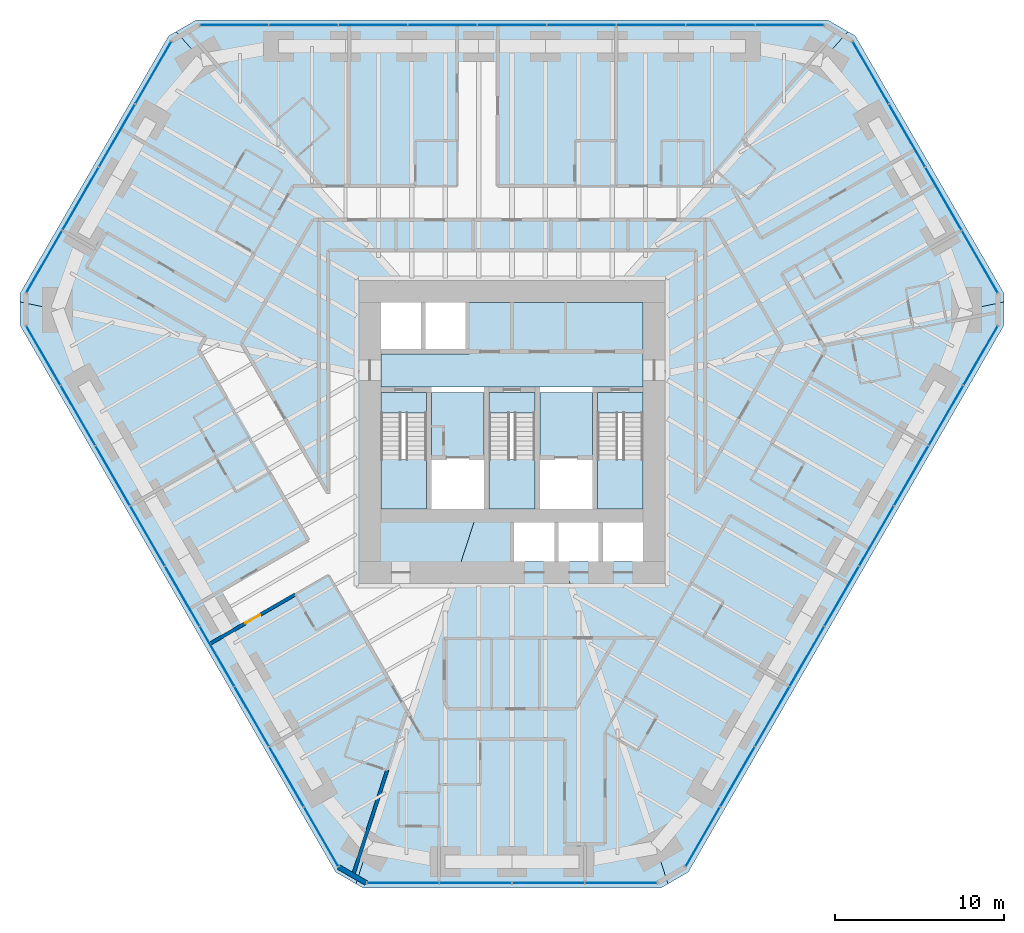
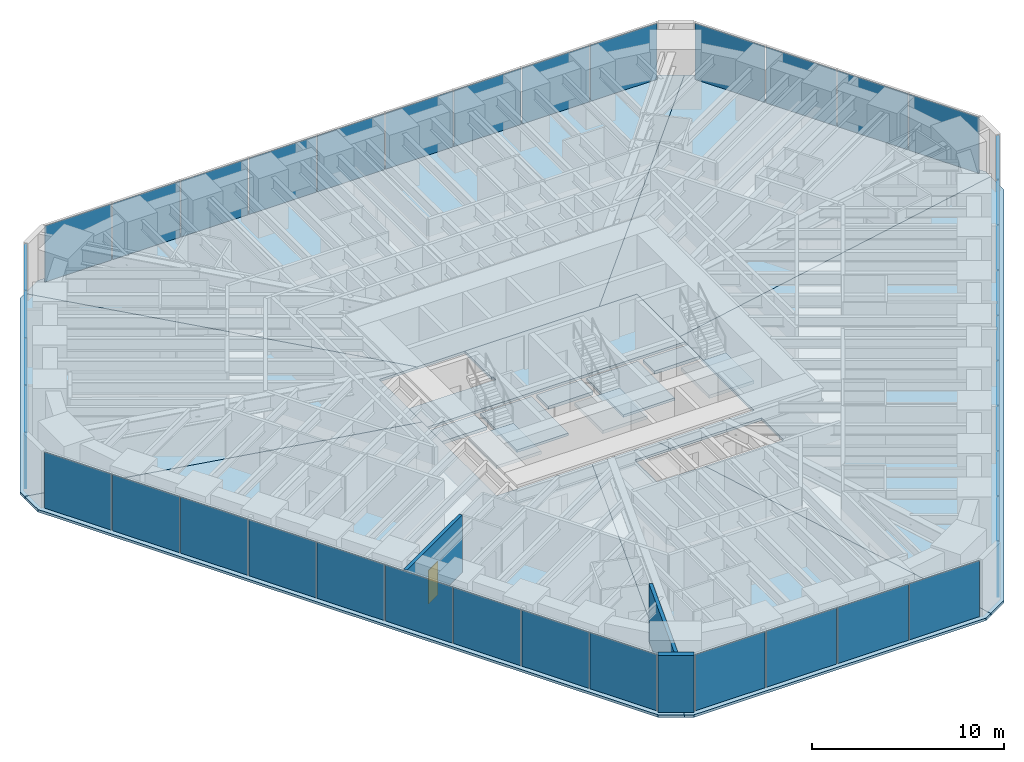
# One storey, part 10 of 17: 39 plates, 15 slabs, 3 walls, 1 door, 1 opening, 9 elements without a shape of their own.
"""IFC4 building model written with IfcOpenShell, lengths in metres."""

from ifc_helpers import new_model, si_unit, direction, frame, frame_2d, origin, origin_2d, place, context, subcontext, project, spatial, polyline, rectangle, outline, extrude, material, layer, layer_set, type_object, element, fill, aggregate, save


model = new_model("IFC4")

# Units and contexts
model_context = context("Model", 3, precision=1e-05, world=origin(), true_north=direction((0.0, 1.0)))
body_context = subcontext(model_context, "Body", "Model", "MODEL_VIEW")
ifc_project = project(units=[si_unit("LENGTHUNIT", "METRE"), si_unit("AREAUNIT", "SQUARE_METRE"), si_unit("VOLUMEUNIT", "CUBIC_METRE"), si_unit("PLANEANGLEUNIT", "RADIAN"), si_unit("MASSUNIT", "GRAM", prefix="KILO")], contexts=[model_context])

# Site, building, storey
site_placement = place(None, origin())
site = spatial("IfcSite", under=ifc_project, at=site_placement, CompositionType="ELEMENT")
building_placement = place(site_placement, origin())
building = spatial("IfcBuilding", under=site, at=building_placement, Name="Sandreach Pilgrim Tower", CompositionType="ELEMENT")
storey_placement = place(building_placement, frame((0.0, 0.0, 119.60009765625)))
storey = spatial("IfcBuildingStorey", under=building, at=storey_placement, Name="L29", CompositionType="ELEMENT", Elevation=119.60009765625)

# Curtain wall, plates
ifc_material_1 = material(Name="Aluminium framed curtain wall", Category="aluminium")
curtain_wall_type = type_object("IfcCurtainWallType", Name="Hotel tower curtain wall", PredefinedType="NOTDEFINED", material=ifc_material_1)
curtain_wall_1_placement = place(storey_placement, origin())
curtain_wall_1 = element("IfcCurtainWall", 1, at=curtain_wall_1_placement, inside=storey, type_object=curtain_wall_type, Name="CW-2 L29 N", PredefinedType="NOTDEFINED")
ifc_material_2 = material(Name="Insulating glass unit 8 heat-strengthened + 16 argon + 8 heat-strengthened", Category="glass")
ifc_layer_1 = layer(ifc_material_2, 0.031982421875)
ifc_layer_set_1 = layer_set([ifc_layer_1], Name="CW-2 panel")
plate_type = type_object("IfcPlateType", Name="CW-2 panel", PredefinedType="CURTAIN_PANEL", material=ifc_layer_set_1)
plate_1_placement = place(storey_placement, frame((-16.41162109375, 22.493896484375, 0.0), z_axis=(0.0, 0.0, 1.0), x_axis=(1.0, 0.0, 0.0)))
plate_1 = element("IfcPlate", 2, at=plate_1_placement, type_object=plate_type, Name="CW-2 panel 1", PredefinedType="CURTAIN_PANEL", context=body_context, shape_type="SweptSolid", body=[
    extrude(rectangle(XDim=4.009521484375, YDim=0.031982421875, at=origin_2d()), origin(), (0.0, 0.0, 1.0), 3.570068359375),
])
plate_2_placement = place(storey_placement, frame((-12.32080078125, 22.493896484375, 0.0), z_axis=(0.0, 0.0, 1.0), x_axis=(1.0, 0.0, 0.0)))
plate_2 = element("IfcPlate", 3, at=plate_2_placement, type_object=plate_type, Name="CW-2 panel 2", PredefinedType="CURTAIN_PANEL", context=body_context, shape_type="SweptSolid", body=[
    extrude(rectangle(XDim=4.0419921875, YDim=0.031982421875, at=origin_2d()), origin(), (0.0, 0.0, 1.0), 3.570068359375),
])
plate_3_placement = place(storey_placement, frame((-8.2138671875, 22.493896484375, 0.0), z_axis=(0.0, 0.0, 1.0), x_axis=(1.0, 0.0, 0.0)))
plate_3 = element("IfcPlate", 4, at=plate_3_placement, type_object=plate_type, Name="CW-2 panel 3", PredefinedType="CURTAIN_PANEL", context=body_context, shape_type="SweptSolid", body=[
    extrude(rectangle(XDim=4.0419921875, YDim=0.031982421875, at=origin_2d()), origin(), (0.0, 0.0, 1.0), 3.570068359375),
])
plate_4_placement = place(storey_placement, frame((-4.10693359375, 22.493896484375, 0.0), z_axis=(0.0, 0.0, 1.0), x_axis=(1.0, 0.0, 0.0)))
plate_4 = element("IfcPlate", 5, at=plate_4_placement, type_object=plate_type, Name="CW-2 panel 4", PredefinedType="CURTAIN_PANEL", context=body_context, shape_type="SweptSolid", body=[
    extrude(rectangle(XDim=4.0419921875, YDim=0.031982421875, at=origin_2d()), origin(), (0.0, 0.0, 1.0), 3.570068359375),
])
plate_5_placement = place(storey_placement, frame((0.0, 22.493896484375, 0.0), z_axis=(0.0, 0.0, 1.0), x_axis=(1.0, 0.0, 0.0)))
plate_5 = element("IfcPlate", 6, at=plate_5_placement, type_object=plate_type, Name="CW-2 panel 5", PredefinedType="CURTAIN_PANEL", context=body_context, shape_type="SweptSolid", body=[
    extrude(rectangle(XDim=4.0419921875, YDim=0.031982421875, at=origin_2d()), origin(), (0.0, 0.0, 1.0), 3.570068359375),
])
plate_6_placement = place(storey_placement, frame((4.10693359375, 22.493896484375, 0.0), z_axis=(0.0, 0.0, 1.0), x_axis=(1.0, 0.0, 0.0)))
plate_6 = element("IfcPlate", 7, at=plate_6_placement, type_object=plate_type, Name="CW-2 panel 6", PredefinedType="CURTAIN_PANEL", context=body_context, shape_type="SweptSolid", body=[
    extrude(rectangle(XDim=4.0419921875, YDim=0.031982421875, at=origin_2d()), origin(), (0.0, 0.0, 1.0), 3.570068359375),
])
plate_7_placement = place(storey_placement, frame((8.2138671875, 22.493896484375, 0.0), z_axis=(0.0, 0.0, 1.0), x_axis=(1.0, 0.0, 0.0)))
plate_7 = element("IfcPlate", 8, at=plate_7_placement, type_object=plate_type, Name="CW-2 panel 7", PredefinedType="CURTAIN_PANEL", context=body_context, shape_type="SweptSolid", body=[
    extrude(rectangle(XDim=4.0419921875, YDim=0.031982421875, at=origin_2d()), origin(), (0.0, 0.0, 1.0), 3.570068359375),
])
plate_8_placement = place(storey_placement, frame((12.32080078125, 22.493896484375, 0.0), z_axis=(0.0, 0.0, 1.0), x_axis=(1.0, 0.0, 0.0)))
plate_8 = element("IfcPlate", 9, at=plate_8_placement, type_object=plate_type, Name="CW-2 panel 8", PredefinedType="CURTAIN_PANEL", context=body_context, shape_type="SweptSolid", body=[
    extrude(rectangle(XDim=4.0419921875, YDim=0.031982421875, at=origin_2d()), origin(), (0.0, 0.0, 1.0), 3.570068359375),
])
plate_9_placement = place(storey_placement, frame((16.41162109375, 22.493896484375, 0.0), z_axis=(0.0, 0.0, 1.0), x_axis=(1.0, 0.0, 0.0)))
plate_9 = element("IfcPlate", 10, at=plate_9_placement, type_object=plate_type, Name="CW-2 panel 9", PredefinedType="CURTAIN_PANEL", context=body_context, shape_type="SweptSolid", body=[
    extrude(rectangle(XDim=4.009521484375, YDim=0.031982421875, at=origin_2d()), origin(), (0.0, 0.0, 1.0), 3.570068359375),
])
aggregate(curtain_wall_1, [plate_1, plate_2, plate_3, plate_4, plate_5, plate_6, plate_7, plate_8, plate_9])

curtain_wall_2_placement = place(storey_placement, origin())
curtain_wall_2 = element("IfcCurtainWall", 11, at=curtain_wall_2_placement, inside=storey, type_object=curtain_wall_type, Name="CW-2 L29 NE", PredefinedType="NOTDEFINED")
plate_10_placement = place(storey_placement, frame((21.194091796875, 19.67529296875, 0.0), z_axis=(0.0, 0.0, 1.0), x_axis=(0.5, -0.866025403784, 0.0)))
plate_10 = element("IfcPlate", 12, at=plate_10_placement, type_object=plate_type, Name="CW-2 panel 1", PredefinedType="CURTAIN_PANEL", context=body_context, shape_type="SweptSolid", body=[
    extrude(rectangle(XDim=4.208251953125, YDim=0.031982421875, at=origin_2d()), origin(), (0.0, 0.0, 1.0), 3.570068359375),
])
plate_11_placement = place(storey_placement, frame((23.3388671875, 15.96044921875, 0.0), z_axis=(0.0, 0.0, 1.0), x_axis=(0.5, -0.866025403784, 0.0)))
plate_11 = element("IfcPlate", 13, at=plate_11_placement, type_object=plate_type, Name="CW-2 panel 2", PredefinedType="CURTAIN_PANEL", context=body_context, shape_type="SweptSolid", body=[
    extrude(rectangle(XDim=4.24072265625, YDim=0.031982421875, at=origin_2d()), origin(), (0.0, 0.0, 1.0), 3.570068359375),
])
plate_12_placement = place(storey_placement, frame((25.49169921875, 12.231689453125, 0.0), z_axis=(0.0, 0.0, 1.0), x_axis=(0.5, -0.866025403784, 0.0)))
plate_12 = element("IfcPlate", 14, at=plate_12_placement, type_object=plate_type, Name="CW-2 panel 3", PredefinedType="CURTAIN_PANEL", context=body_context, shape_type="SweptSolid", body=[
    extrude(rectangle(XDim=4.24072265625, YDim=0.031982421875, at=origin_2d()), origin(), (0.0, 0.0, 1.0), 3.570068359375),
])
plate_13_placement = place(storey_placement, frame((27.63623046875, 8.516845703125, 0.0), z_axis=(0.0, 0.0, 1.0), x_axis=(0.5, -0.866025403784, 0.0)))
plate_13 = element("IfcPlate", 15, at=plate_13_placement, type_object=plate_type, Name="CW-2 panel 4", PredefinedType="CURTAIN_PANEL", context=body_context, shape_type="SweptSolid", body=[
    extrude(rectangle(XDim=4.208251953125, YDim=0.031982421875, at=origin_2d()), origin(), (0.0, 0.0, 1.0), 3.570068359375),
])
aggregate(curtain_wall_2, [plate_10, plate_11, plate_12, plate_13])

curtain_wall_3_placement = place(storey_placement, origin())
curtain_wall_3 = element("IfcCurtainWall", 16, at=curtain_wall_3_placement, inside=storey, type_object=curtain_wall_type, Name="CW-2 L29 SE", PredefinedType="NOTDEFINED")
plate_14_placement = place(storey_placement, frame((27.68603515625, 2.966064453125, 0.0), z_axis=(0.0, 0.0, 1.0), x_axis=(-0.5, -0.866025403784, 0.0)))
plate_14 = element("IfcPlate", 17, at=plate_14_placement, type_object=plate_type, Name="CW-2 panel 1", PredefinedType="CURTAIN_PANEL", context=body_context, shape_type="SweptSolid", body=[
    extrude(rectangle(XDim=4.009521484375, YDim=0.031982421875, at=origin_2d()), origin(), (0.0, 0.0, 1.0), 3.570068359375),
])
plate_15_placement = place(storey_placement, frame((25.640625, -0.57666015625, 0.0), z_axis=(0.0, 0.0, 1.0), x_axis=(-0.5, -0.866025403784, 0.0)))
plate_15 = element("IfcPlate", 18, at=plate_15_placement, type_object=plate_type, Name="CW-2 panel 2", PredefinedType="CURTAIN_PANEL", context=body_context, shape_type="SweptSolid", body=[
    extrude(rectangle(XDim=4.0419921875, YDim=0.031982421875, at=origin_2d()), origin(), (0.0, 0.0, 1.0), 3.570068359375),
])
plate_16_placement = place(storey_placement, frame((23.587158203125, -4.13330078125, 0.0), z_axis=(0.0, 0.0, 1.0), x_axis=(-0.5, -0.866025403784, 0.0)))
plate_16 = element("IfcPlate", 19, at=plate_16_placement, type_object=plate_type, Name="CW-2 panel 3", PredefinedType="CURTAIN_PANEL", context=body_context, shape_type="SweptSolid", body=[
    extrude(rectangle(XDim=4.0419921875, YDim=0.031982421875, at=origin_2d()), origin(), (0.0, 0.0, 1.0), 3.570068359375),
])
plate_17_placement = place(storey_placement, frame((21.53369140625, -7.690185546875, 0.0), z_axis=(0.0, 0.0, 1.0), x_axis=(-0.5, -0.866025403784, 0.0)))
plate_17 = element("IfcPlate", 20, at=plate_17_placement, type_object=plate_type, Name="CW-2 panel 4", PredefinedType="CURTAIN_PANEL", context=body_context, shape_type="SweptSolid", body=[
    extrude(rectangle(XDim=4.0419921875, YDim=0.031982421875, at=origin_2d()), origin(), (0.0, 0.0, 1.0), 3.570068359375),
])
plate_18_placement = place(storey_placement, frame((19.480224609375, -11.246826171875, 0.0), z_axis=(0.0, 0.0, 1.0), x_axis=(-0.5, -0.866025403784, 0.0)))
plate_18 = element("IfcPlate", 21, at=plate_18_placement, type_object=plate_type, Name="CW-2 panel 5", PredefinedType="CURTAIN_PANEL", context=body_context, shape_type="SweptSolid", body=[
    extrude(rectangle(XDim=4.0419921875, YDim=0.031982421875, at=origin_2d()), origin(), (0.0, 0.0, 1.0), 3.570068359375),
])
plate_19_placement = place(storey_placement, frame((17.4267578125, -14.8037109375, 0.0), z_axis=(0.0, 0.0, 1.0), x_axis=(-0.5, -0.866025403784, 0.0)))
plate_19 = element("IfcPlate", 22, at=plate_19_placement, type_object=plate_type, Name="CW-2 panel 6", PredefinedType="CURTAIN_PANEL", context=body_context, shape_type="SweptSolid", body=[
    extrude(rectangle(XDim=4.0419921875, YDim=0.031982421875, at=origin_2d()), origin(), (0.0, 0.0, 1.0), 3.570068359375),
])
plate_20_placement = place(storey_placement, frame((15.373291015625, -18.3603515625, 0.0), z_axis=(0.0, 0.0, 1.0), x_axis=(-0.5, -0.866025403784, 0.0)))
plate_20 = element("IfcPlate", 23, at=plate_20_placement, type_object=plate_type, Name="CW-2 panel 7", PredefinedType="CURTAIN_PANEL", context=body_context, shape_type="SweptSolid", body=[
    extrude(rectangle(XDim=4.0419921875, YDim=0.031982421875, at=origin_2d()), origin(), (0.0, 0.0, 1.0), 3.570068359375),
])
plate_21_placement = place(storey_placement, frame((13.31982421875, -21.917236328125, 0.0), z_axis=(0.0, 0.0, 1.0), x_axis=(-0.5, -0.866025403784, 0.0)))
plate_21 = element("IfcPlate", 24, at=plate_21_placement, type_object=plate_type, Name="CW-2 panel 8", PredefinedType="CURTAIN_PANEL", context=body_context, shape_type="SweptSolid", body=[
    extrude(rectangle(XDim=4.0419921875, YDim=0.031982421875, at=origin_2d()), origin(), (0.0, 0.0, 1.0), 3.570068359375),
])
plate_22_placement = place(storey_placement, frame((11.2744140625, -25.459716796875, 0.0), z_axis=(0.0, 0.0, 1.0), x_axis=(-0.5, -0.866025403784, 0.0)))
plate_22 = element("IfcPlate", 25, at=plate_22_placement, type_object=plate_type, Name="CW-2 panel 9", PredefinedType="CURTAIN_PANEL", context=body_context, shape_type="SweptSolid", body=[
    extrude(rectangle(XDim=4.009521484375, YDim=0.031982421875, at=origin_2d()), origin(), (0.0, 0.0, 1.0), 3.570068359375),
])
aggregate(curtain_wall_3, [plate_14, plate_15, plate_16, plate_17, plate_18, plate_19, plate_20, plate_21, plate_22])

curtain_wall_4_placement = place(storey_placement, origin())
curtain_wall_4 = element("IfcCurtainWall", 26, at=curtain_wall_4_placement, inside=storey, type_object=curtain_wall_type, Name="CW-2 L29 S", PredefinedType="NOTDEFINED")
plate_23_placement = place(storey_placement, frame((6.4423828125, -28.192138671875, 0.0), z_axis=(0.0, 0.0, 1.0), x_axis=(-1.0, 0.0, 0.0)))
plate_23 = element("IfcPlate", 27, at=plate_23_placement, type_object=plate_type, Name="CW-2 panel 1", PredefinedType="CURTAIN_PANEL", context=body_context, shape_type="SweptSolid", body=[
    extrude(rectangle(XDim=4.208251953125, YDim=0.031982421875, at=origin_2d()), origin(), (0.0, 0.0, 1.0), 3.570068359375),
])
plate_24_placement = place(storey_placement, frame((2.15283203125, -28.192138671875, 0.0), z_axis=(0.0, 0.0, 1.0), x_axis=(-1.0, 0.0, 0.0)))
plate_24 = element("IfcPlate", 28, at=plate_24_placement, type_object=plate_type, Name="CW-2 panel 2", PredefinedType="CURTAIN_PANEL", context=body_context, shape_type="SweptSolid", body=[
    extrude(rectangle(XDim=4.24072265625, YDim=0.031982421875, at=origin_2d()), origin(), (0.0, 0.0, 1.0), 3.570068359375),
])
plate_25_placement = place(storey_placement, frame((-2.15283203125, -28.192138671875, 0.0), z_axis=(0.0, 0.0, 1.0), x_axis=(-1.0, 0.0, 0.0)))
plate_25 = element("IfcPlate", 29, at=plate_25_placement, type_object=plate_type, Name="CW-2 panel 3", PredefinedType="CURTAIN_PANEL", context=body_context, shape_type="SweptSolid", body=[
    extrude(rectangle(XDim=4.24072265625, YDim=0.031982421875, at=origin_2d()), origin(), (0.0, 0.0, 1.0), 3.570068359375),
])
plate_26_placement = place(storey_placement, frame((-6.4423828125, -28.192138671875, 0.0), z_axis=(0.0, 0.0, 1.0), x_axis=(-1.0, 0.0, 0.0)))
plate_26 = element("IfcPlate", 30, at=plate_26_placement, type_object=plate_type, Name="CW-2 panel 4", PredefinedType="CURTAIN_PANEL", context=body_context, shape_type="SweptSolid", body=[
    extrude(rectangle(XDim=4.208251953125, YDim=0.031982421875, at=origin_2d()), origin(), (0.0, 0.0, 1.0), 3.570068359375),
])
aggregate(curtain_wall_4, [plate_23, plate_24, plate_25, plate_26])

curtain_wall_5_placement = place(storey_placement, origin())
curtain_wall_5 = element("IfcCurtainWall", 31, at=curtain_wall_5_placement, inside=storey, type_object=curtain_wall_type, Name="CW-2 L29 SW", PredefinedType="NOTDEFINED")
plate_27_placement = place(storey_placement, frame((-11.2744140625, -25.459716796875, 0.0), z_axis=(0.0, 0.0, 1.0), x_axis=(-0.5, 0.866025403784, 0.0)))
plate_27 = element("IfcPlate", 32, at=plate_27_placement, type_object=plate_type, Name="CW-2 panel 1", PredefinedType="CURTAIN_PANEL", context=body_context, shape_type="SweptSolid", body=[
    extrude(rectangle(XDim=4.009521484375, YDim=0.031982421875, at=origin_2d()), origin(), (0.0, 0.0, 1.0), 3.570068359375),
])
plate_28_placement = place(storey_placement, frame((-13.31982421875, -21.917236328125, 0.0), z_axis=(0.0, 0.0, 1.0), x_axis=(-0.5, 0.866025403784, 0.0)))
plate_28 = element("IfcPlate", 33, at=plate_28_placement, type_object=plate_type, Name="CW-2 panel 2", PredefinedType="CURTAIN_PANEL", context=body_context, shape_type="SweptSolid", body=[
    extrude(rectangle(XDim=4.0419921875, YDim=0.031982421875, at=origin_2d()), origin(), (0.0, 0.0, 1.0), 3.570068359375),
])
plate_29_placement = place(storey_placement, frame((-15.373291015625, -18.3603515625, 0.0), z_axis=(0.0, 0.0, 1.0), x_axis=(-0.5, 0.866025403784, 0.0)))
plate_29 = element("IfcPlate", 34, at=plate_29_placement, type_object=plate_type, Name="CW-2 panel 3", PredefinedType="CURTAIN_PANEL", context=body_context, shape_type="SweptSolid", body=[
    extrude(rectangle(XDim=4.0419921875, YDim=0.031982421875, at=origin_2d()), origin(), (0.0, 0.0, 1.0), 3.570068359375),
])
plate_30_placement = place(storey_placement, frame((-17.4267578125, -14.8037109375, 0.0), z_axis=(0.0, 0.0, 1.0), x_axis=(-0.5, 0.866025403784, 0.0)))
plate_30 = element("IfcPlate", 35, at=plate_30_placement, type_object=plate_type, Name="CW-2 panel 4", PredefinedType="CURTAIN_PANEL", context=body_context, shape_type="SweptSolid", body=[
    extrude(rectangle(XDim=4.0419921875, YDim=0.031982421875, at=origin_2d()), origin(), (0.0, 0.0, 1.0), 3.570068359375),
])
plate_31_placement = place(storey_placement, frame((-19.480224609375, -11.246826171875, 0.0), z_axis=(0.0, 0.0, 1.0), x_axis=(-0.5, 0.866025403784, 0.0)))
plate_31 = element("IfcPlate", 36, at=plate_31_placement, type_object=plate_type, Name="CW-2 panel 5", PredefinedType="CURTAIN_PANEL", context=body_context, shape_type="SweptSolid", body=[
    extrude(rectangle(XDim=4.0419921875, YDim=0.031982421875, at=origin_2d()), origin(), (0.0, 0.0, 1.0), 3.570068359375),
])
plate_32_placement = place(storey_placement, frame((-21.53369140625, -7.690185546875, 0.0), z_axis=(0.0, 0.0, 1.0), x_axis=(-0.5, 0.866025403784, 0.0)))
plate_32 = element("IfcPlate", 37, at=plate_32_placement, type_object=plate_type, Name="CW-2 panel 6", PredefinedType="CURTAIN_PANEL", context=body_context, shape_type="SweptSolid", body=[
    extrude(rectangle(XDim=4.0419921875, YDim=0.031982421875, at=origin_2d()), origin(), (0.0, 0.0, 1.0), 3.570068359375),
])
plate_33_placement = place(storey_placement, frame((-23.587158203125, -4.13330078125, 0.0), z_axis=(0.0, 0.0, 1.0), x_axis=(-0.5, 0.866025403784, 0.0)))
plate_33 = element("IfcPlate", 38, at=plate_33_placement, type_object=plate_type, Name="CW-2 panel 7", PredefinedType="CURTAIN_PANEL", context=body_context, shape_type="SweptSolid", body=[
    extrude(rectangle(XDim=4.0419921875, YDim=0.031982421875, at=origin_2d()), origin(), (0.0, 0.0, 1.0), 3.570068359375),
])
plate_34_placement = place(storey_placement, frame((-25.640625, -0.57666015625, 0.0), z_axis=(0.0, 0.0, 1.0), x_axis=(-0.5, 0.866025403784, 0.0)))
plate_34 = element("IfcPlate", 39, at=plate_34_placement, type_object=plate_type, Name="CW-2 panel 8", PredefinedType="CURTAIN_PANEL", context=body_context, shape_type="SweptSolid", body=[
    extrude(rectangle(XDim=4.0419921875, YDim=0.031982421875, at=origin_2d()), origin(), (0.0, 0.0, 1.0), 3.570068359375),
])
plate_35_placement = place(storey_placement, frame((-27.68603515625, 2.966064453125, 0.0), z_axis=(0.0, 0.0, 1.0), x_axis=(-0.5, 0.866025403784, 0.0)))
plate_35 = element("IfcPlate", 40, at=plate_35_placement, type_object=plate_type, Name="CW-2 panel 9", PredefinedType="CURTAIN_PANEL", context=body_context, shape_type="SweptSolid", body=[
    extrude(rectangle(XDim=4.009521484375, YDim=0.031982421875, at=origin_2d()), origin(), (0.0, 0.0, 1.0), 3.570068359375),
])
aggregate(curtain_wall_5, [plate_27, plate_28, plate_29, plate_30, plate_31, plate_32, plate_33, plate_34, plate_35])

curtain_wall_6_placement = place(storey_placement, origin())
curtain_wall_6 = element("IfcCurtainWall", 41, at=curtain_wall_6_placement, inside=storey, type_object=curtain_wall_type, Name="CW-2 L29 NW", PredefinedType="NOTDEFINED")
plate_36_placement = place(storey_placement, frame((-27.63623046875, 8.516845703125, 0.0), z_axis=(0.0, 0.0, 1.0), x_axis=(0.5, 0.866025403784, 0.0)))
plate_36 = element("IfcPlate", 42, at=plate_36_placement, type_object=plate_type, Name="CW-2 panel 1", PredefinedType="CURTAIN_PANEL", context=body_context, shape_type="SweptSolid", body=[
    extrude(rectangle(XDim=4.208251953125, YDim=0.031982421875, at=origin_2d()), origin(), (0.0, 0.0, 1.0), 3.570068359375),
])
plate_37_placement = place(storey_placement, frame((-25.49169921875, 12.231689453125, 0.0), z_axis=(0.0, 0.0, 1.0), x_axis=(0.5, 0.866025403784, 0.0)))
plate_37 = element("IfcPlate", 43, at=plate_37_placement, type_object=plate_type, Name="CW-2 panel 2", PredefinedType="CURTAIN_PANEL", context=body_context, shape_type="SweptSolid", body=[
    extrude(rectangle(XDim=4.24072265625, YDim=0.031982421875, at=origin_2d()), origin(), (0.0, 0.0, 1.0), 3.570068359375),
])
plate_38_placement = place(storey_placement, frame((-23.3388671875, 15.96044921875, 0.0), z_axis=(0.0, 0.0, 1.0), x_axis=(0.5, 0.866025403784, 0.0)))
plate_38 = element("IfcPlate", 44, at=plate_38_placement, type_object=plate_type, Name="CW-2 panel 3", PredefinedType="CURTAIN_PANEL", context=body_context, shape_type="SweptSolid", body=[
    extrude(rectangle(XDim=4.24072265625, YDim=0.031982421875, at=origin_2d()), origin(), (0.0, 0.0, 1.0), 3.570068359375),
])
plate_39_placement = place(storey_placement, frame((-21.194091796875, 19.67529296875, 0.0), z_axis=(0.0, 0.0, 1.0), x_axis=(0.5, 0.866025403784, 0.0)))
plate_39 = element("IfcPlate", 45, at=plate_39_placement, type_object=plate_type, Name="CW-2 panel 4", PredefinedType="CURTAIN_PANEL", context=body_context, shape_type="SweptSolid", body=[
    extrude(rectangle(XDim=4.208251953125, YDim=0.031982421875, at=origin_2d()), origin(), (0.0, 0.0, 1.0), 3.570068359375),
])
aggregate(curtain_wall_6, [plate_36, plate_37, plate_38, plate_39])

# Slabs
ifc_material_3 = material(Name="Concrete 8000 psi", Category="concrete")
ifc_layer_2 = layer(ifc_material_3, 0.159912109375)
ifc_layer_set_2 = layer_set([ifc_layer_2], Name="Composite floor slab 160")
slab_type_1 = type_object("IfcSlabType", Name="Composite floor slab 160", PredefinedType="FLOOR", material=ifc_layer_set_2)
slab_1_placement = place(storey_placement, frame((0.0, 0.0, -0.16015625)))
element("IfcSlab", 46, at=slab_1_placement, inside=storey, type_object=slab_type_1, Name="Floor slab L29 N sector", PredefinedType="FLOOR", context=body_context, shape_type="SweptSolid", body=[
    extrude(outline(polyline([(-18.654541015625, 22.793701171875), (18.654541015625, 22.793701171875), (19.848388671875, 22.1044921875), (5.477294921875, 6.10009765625), (-5.477294921875, 6.10009765625), (-19.848388671875, 22.1044921875), (-18.654541015625, 22.793701171875)])), origin(), (0.0, 0.0, 1.0), 0.16015625),
])
slab_2_placement = place(storey_placement, frame((0.0, 0.0, -0.16015625)))
element("IfcSlab", 47, at=slab_2_placement, inside=storey, type_object=slab_type_1, Name="Floor slab L29 NE sector", PredefinedType="FLOOR", context=body_context, shape_type="SweptSolid", body=[
    extrude(outline(polyline([(20.28271484375, 21.853759765625), (29.0673828125, 6.638427734375), (29.0673828125, 6.13720703125), (7.75, 1.63623046875), (7.75, 6.10009765625), (5.477294921875, 6.10009765625), (19.848388671875, 22.1044921875), (20.28271484375, 21.853759765625)])), origin(), (0.0, 0.0, 1.0), 0.16015625),
])
slab_3_placement = place(storey_placement, frame((0.0, 0.0, -0.16015625)))
element("IfcSlab", 48, at=slab_3_placement, inside=storey, type_object=slab_type_1, Name="Floor slab L29 SE sector", PredefinedType="FLOOR", context=body_context, shape_type="SweptSolid", body=[
    extrude(outline(polyline([(29.0673828125, 4.75830078125), (10.41259765625, -27.55224609375), (9.21875, -28.241455078125), (3.003173828125, -9.199951171875), (7.75, -9.199951171875), (7.75, -6.89990234375), (2.252197265625, -6.89990234375), (1.9912109375, -6.10009765625), (7.75, -6.10009765625), (7.75, 1.63623046875), (29.0673828125, 6.13720703125), (29.0673828125, 4.75830078125)])), origin(), (0.0, 0.0, 1.0), 0.16015625),
])
slab_4_placement = place(storey_placement, frame((0.0, 0.0, -0.16015625)))
element("IfcSlab", 49, at=slab_4_placement, inside=storey, type_object=slab_type_1, Name="Floor slab L29 S sector", PredefinedType="FLOOR", context=body_context, shape_type="SweptSolid", body=[
    extrude(outline(polyline([(8.78466796875, -28.4921875), (-8.78466796875, -28.4921875), (-9.21875, -28.241455078125), (-1.9912109375, -6.10009765625), (1.9912109375, -6.10009765625), (2.252197265625, -6.89990234375), (0.125, -6.89990234375), (0.125, -9.199951171875), (3.003173828125, -9.199951171875), (9.21875, -28.241455078125), (8.78466796875, -28.4921875)])), origin(), (0.0, 0.0, 1.0), 0.16015625),
])
slab_5_placement = place(storey_placement, frame((0.0, 0.0, -0.16015625)))
element("IfcSlab", 50, at=slab_5_placement, inside=storey, type_object=slab_type_1, Name="Floor slab L29 SW sector", PredefinedType="FLOOR", context=body_context, shape_type="SweptSolid", body=[
    extrude(outline(polyline([(-10.41259765625, -27.55224609375), (-29.0673828125, 4.75830078125), (-29.0673828125, 6.13720703125), (-7.75, 1.63623046875), (-7.75, -6.10009765625), (-1.9912109375, -6.10009765625), (-9.21875, -28.241455078125), (-10.41259765625, -27.55224609375)])), origin(), (0.0, 0.0, 1.0), 0.16015625),
])
slab_6_placement = place(storey_placement, frame((0.0, 0.0, -0.16015625)))
element("IfcSlab", 51, at=slab_6_placement, inside=storey, type_object=slab_type_1, Name="Floor slab L29 NW sector", PredefinedType="FLOOR", context=body_context, shape_type="SweptSolid", body=[
    extrude(outline(polyline([(-29.0673828125, 6.638427734375), (-20.28271484375, 21.853759765625), (-19.848388671875, 22.1044921875), (-5.477294921875, 6.10009765625), (-7.75, 6.10009765625), (-7.75, 1.63623046875), (-29.0673828125, 6.13720703125), (-29.0673828125, 6.638427734375)])), origin(), (0.0, 0.0, 1.0), 0.16015625),
])
slab_7_placement = place(storey_placement, frame((0.0, 0.0, -0.16015625)))
element("IfcSlab", 52, at=slab_7_placement, inside=storey, type_object=slab_type_1, Name="Core floor slab and stores L29", PredefinedType="FLOOR", context=body_context, shape_type="SweptSolid", body=[
    extrude(outline(polyline([(-7.75, 3.050048828125), (-5.375, 3.050048828125), (-5.125, 3.050048828125), (-2.5, 3.050048828125), (-2.5, 3.35009765625), (-2.60009765625, 3.35009765625), (-2.60009765625, 6.10009765625), (7.75, 6.10009765625), (7.75, 1.10009765625), (5.050048828125, 1.10009765625), (4.75, 1.10009765625), (1.64990234375, 1.10009765625), (1.35009765625, 1.10009765625), (-1.35009765625, 1.10009765625), (-1.64990234375, 1.10009765625), (-4.75, 1.10009765625), (-5.050048828125, 1.10009765625), (-7.75, 1.10009765625), (-7.75, 3.050048828125)])), origin(), (0.0, 0.0, 1.0), 0.16015625),
])
slab_8_placement = place(storey_placement, frame((0.0, 0.0, -0.16015625)))
element("IfcSlab", 53, at=slab_8_placement, inside=storey, type_object=slab_type_1, Name="Core floor slab and stores L29 2", PredefinedType="FLOOR", context=body_context, shape_type="SweptSolid", body=[
    extrude(outline(polyline([(-1.64990234375, -3.050048828125), (-4.75, -3.050048828125), (-4.75, 0.800048828125), (-1.64990234375, 0.800048828125), (-1.64990234375, -3.050048828125)])), origin(), (0.0, 0.0, 1.0), 0.16015625),
])
slab_9_placement = place(storey_placement, frame((0.0, 0.0, -0.16015625)))
element("IfcSlab", 54, at=slab_9_placement, inside=storey, type_object=slab_type_1, Name="Core floor slab and stores L29 3", PredefinedType="FLOOR", context=body_context, shape_type="SweptSolid", body=[
    extrude(outline(polyline([(4.75, -3.050048828125), (1.64990234375, -3.050048828125), (1.64990234375, 0.800048828125), (4.75, 0.800048828125), (4.75, -3.050048828125)])), origin(), (0.0, 0.0, 1.0), 0.16015625),
])

# Stair, slabs
ifc_material_4 = material(Name="Concrete 8000 psi", Category="concrete")
stair_type = type_object("IfcStairType", Name="Core exit stair", PredefinedType="HALF_TURN_STAIR", material=ifc_material_4)
stair_1_placement = place(storey_placement, origin())
stair_1 = element("IfcStair", 55, at=stair_1_placement, inside=storey, type_object=stair_type, Name="Exit stair ST1 L29", PredefinedType="HALF_TURN_STAIR")
ifc_material_5 = material(Name="Concrete 8000 psi", Category="concrete")
ifc_layer_3 = layer(ifc_material_5, 0.199951171875)
ifc_layer_set_3 = layer_set([ifc_layer_3], Name="Core stair landing 200")
slab_type_2 = type_object("IfcSlabType", Name="Core stair landing 200", PredefinedType="LANDING", material=ifc_layer_set_3)
slab_10_placement = place(storey_placement, frame((0.0, 0.0, -0.2001953125)))
slab_10 = element("IfcSlab", 56, at=slab_10_placement, type_object=slab_type_2, Name="ST1 landing 1", PredefinedType="LANDING", context=body_context, shape_type="SweptSolid", body=[
    extrude(outline(polyline([(-7.75, -0.425048828125), (-5.050048828125, -0.425048828125), (-5.050048828125, 0.800048828125), (-7.75, 0.800048828125), (-7.75, -0.425048828125)])), origin(), (0.0, 0.0, 1.0), 0.2001953125),
])
slab_11_placement = place(storey_placement, frame((0.0, 0.0, 1.699951171875)))
slab_11 = element("IfcSlab", 57, at=slab_11_placement, type_object=slab_type_2, Name="ST1 landing 2", PredefinedType="LANDING", context=body_context, shape_type="SweptSolid", body=[
    extrude(outline(polyline([(-7.75, -6.10009765625), (-5.050048828125, -6.10009765625), (-5.050048828125, -3.175048828125), (-7.75, -3.175048828125), (-7.75, -6.10009765625)])), origin(), (0.0, 0.0, 1.0), 0.199951171875),
])
aggregate(stair_1, [slab_10, slab_11])

stair_2_placement = place(storey_placement, origin())
stair_2 = element("IfcStair", 58, at=stair_2_placement, inside=storey, type_object=stair_type, Name="Exit stair ST3 L29", PredefinedType="HALF_TURN_STAIR")
slab_12_placement = place(storey_placement, frame((0.0, 0.0, -0.2001953125)))
slab_12 = element("IfcSlab", 59, at=slab_12_placement, type_object=slab_type_2, Name="ST3 landing 1", PredefinedType="LANDING", context=body_context, shape_type="SweptSolid", body=[
    extrude(outline(polyline([(-1.35009765625, -0.425048828125), (1.35009765625, -0.425048828125), (1.35009765625, 0.800048828125), (-1.35009765625, 0.800048828125), (-1.35009765625, -0.425048828125)])), origin(), (0.0, 0.0, 1.0), 0.2001953125),
])
slab_13_placement = place(storey_placement, frame((0.0, 0.0, 1.699951171875)))
slab_13 = element("IfcSlab", 60, at=slab_13_placement, type_object=slab_type_2, Name="ST3 landing 2", PredefinedType="LANDING", context=body_context, shape_type="SweptSolid", body=[
    extrude(outline(polyline([(-1.35009765625, -6.10009765625), (1.35009765625, -6.10009765625), (1.35009765625, -3.175048828125), (-1.35009765625, -3.175048828125), (-1.35009765625, -6.10009765625)])), origin(), (0.0, 0.0, 1.0), 0.199951171875),
])
aggregate(stair_2, [slab_12, slab_13])

stair_3_placement = place(storey_placement, origin())
stair_3 = element("IfcStair", 61, at=stair_3_placement, inside=storey, type_object=stair_type, Name="Exit stair ST2 L29", PredefinedType="HALF_TURN_STAIR")
slab_14_placement = place(storey_placement, frame((0.0, 0.0, -0.2001953125)))
slab_14 = element("IfcSlab", 62, at=slab_14_placement, type_object=slab_type_2, Name="ST2 landing 1", PredefinedType="LANDING", context=body_context, shape_type="SweptSolid", body=[
    extrude(outline(polyline([(5.050048828125, -0.425048828125), (7.75, -0.425048828125), (7.75, 0.800048828125), (5.050048828125, 0.800048828125), (5.050048828125, -0.425048828125)])), origin(), (0.0, 0.0, 1.0), 0.2001953125),
])
slab_15_placement = place(storey_placement, frame((0.0, 0.0, 1.699951171875)))
slab_15 = element("IfcSlab", 63, at=slab_15_placement, type_object=slab_type_2, Name="ST2 landing 2", PredefinedType="LANDING", context=body_context, shape_type="SweptSolid", body=[
    extrude(outline(polyline([(5.050048828125, -6.10009765625), (7.75, -6.10009765625), (7.75, -3.175048828125), (5.050048828125, -3.175048828125), (5.050048828125, -6.10009765625)])), origin(), (0.0, 0.0, 1.0), 0.199951171875),
])
aggregate(stair_3, [slab_14, slab_15])

# Wall, opening, door
ifc_material_6 = material(Name="Gypsum board on steel studs, two layers each side", Category="steel")
ifc_layer_4 = layer(ifc_material_6, 0.199951171875)
ifc_layer_set_4 = layer_set([ifc_layer_4], Name="Corridor wall 200")
wall_type_1 = type_object("IfcWallType", Name="Corridor wall 200", PredefinedType="PARTITIONING", material=ifc_layer_set_4)
wall_1_placement = place(storey_placement, frame((-17.823974609375, -14.044921875, 0.0), z_axis=(0.0, 0.0, 1.0), x_axis=(0.866007919525, 0.500030282404, 0.0)))
wall_1 = element("IfcWall", 64, at=wall_1_placement, inside=storey, type_object=wall_type_1, Name="Corridor wall L29-010", PredefinedType="PARTITIONING", context=body_context, shape_type="SweptSolid", body=[
    extrude(rectangle(XDim=5.789794921875, YDim=0.199951171875, at=frame_2d((2.89501953125, 0.0))), origin(), (0.0, 0.0, 1.0), 3.639892578125),
])
opening_placement = place(wall_1_placement, frame((2.39501953125, 0.0, 0.0)))
opening = element("IfcOpeningElement", 65, at=opening_placement, cuts=wall_1, Name="Opening D10-15", PredefinedType="OPENING", context=body_context, shape_type="SweptSolid", body=[
    extrude(rectangle(XDim=1.0, YDim=2.1298828125, at=frame_2d((0.5, 1.06494140625))), frame((0.0, 0.10009765625, 0.0), z_axis=(0.0, -1.0, 0.0), x_axis=(1.0, 0.0, 0.0)), (0.0, 0.0, 1.0), 0.199951171875),
])
ifc_material_7 = material(Name="Steel door and frame", Category="steel")
door_type = type_object("IfcDoorType", Name="Guest room entry door", OperationType="SINGLE_SWING_LEFT", PredefinedType="DOOR", material=ifc_material_7)
door_placement = place(opening_placement, origin())
door = element("IfcDoor", 66, at=door_placement, inside=storey, type_object=door_type, Name="Door 2915", OperationType="SINGLE_SWING_LEFT", OverallHeight=2.1298828125, OverallWidth=1.0, PredefinedType="DOOR", context=body_context, shape_type="SweptSolid", body=[
    extrude(rectangle(XDim=1.0, YDim=2.1298828125, at=frame_2d((0.5, 1.06494140625))), frame((0.0, 0.02490234375, 0.0), z_axis=(0.0, -1.0, 0.0), x_axis=(1.0, 0.0, 0.0)), (0.0, 0.0, 1.0), 0.050048828125),
])
fill(opening, door)

# Walls
ifc_material_8 = material(Name="Double steel stud acoustic wall, gypsum board", Category="steel")
ifc_layer_5 = layer(ifc_material_8, 0.199951171875)
ifc_layer_set_5 = layer_set([ifc_layer_5], Name="Party wall 200")
wall_type_2 = type_object("IfcWallType", Name="Party wall 200", PredefinedType="PARTITIONING", material=ifc_layer_set_5)
wall_2_placement = place(storey_placement, frame((-7.3701171875, -21.530029296875, 0.0), z_axis=(0.0, 0.0, 1.0), x_axis=(-0.309817104215, -0.950796172655, 0.0)))
element("IfcWall", 67, at=wall_2_placement, inside=storey, type_object=wall_type_2, Name="Party wall L29-056", PredefinedType="PARTITIONING", context=body_context, shape_type="SweptSolid", body=[
    extrude(rectangle(XDim=6.553955078125, YDim=0.199951171875, at=frame_2d((3.27685546875, 0.0))), origin(), (0.0, 0.0, 1.0), 3.639892578125),
])
ifc_material_9 = material(Name="Terracotta rainscreen on concrete", Category="masonry")
ifc_layer_6 = layer(ifc_material_9, 0.300048828125)
ifc_layer_set_6 = layer_set([ifc_layer_6], Name="Terracotta chamfer pier")
wall_type_3 = type_object("IfcWallType", Name="Terracotta chamfer pier", PredefinedType="SOLIDWALL", material=ifc_layer_set_6)
wall_3_placement = place(storey_placement, frame((-8.611328125, -28.192138671875, 0.0), z_axis=(0.0, 0.0, 1.0), x_axis=(-0.866045024864, 0.499966013754, 0.0)))
element("IfcWall", 68, at=wall_3_placement, inside=storey, type_object=wall_type_3, Name="Chamfer pier L29 S", PredefinedType="SOLIDWALL", context=body_context, shape_type="SweptSolid", body=[
    extrude(rectangle(XDim=1.880126953125, YDim=0.300048828125, at=frame_2d((0.93994140625, 0.0))), origin(), (0.0, 0.0, 1.0), 3.639892578125),
])

save(model, "model.ifc")
